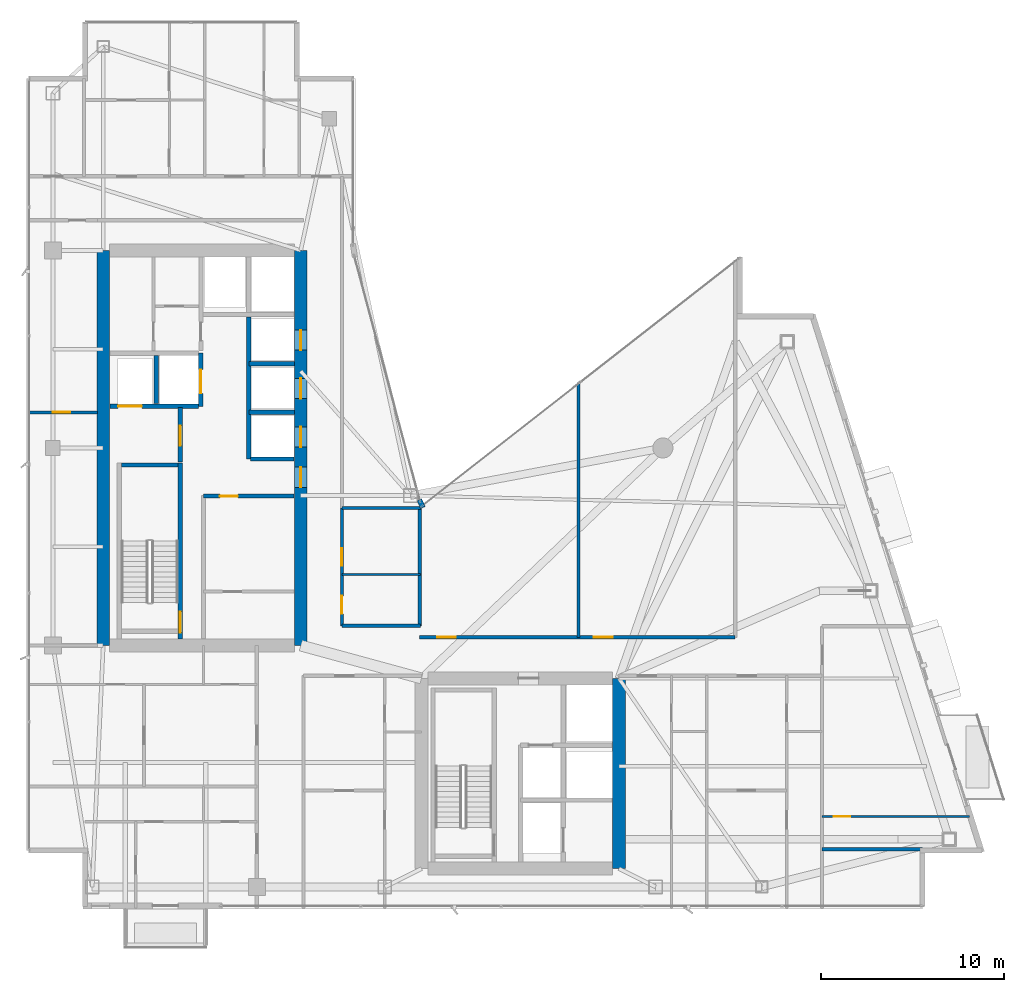
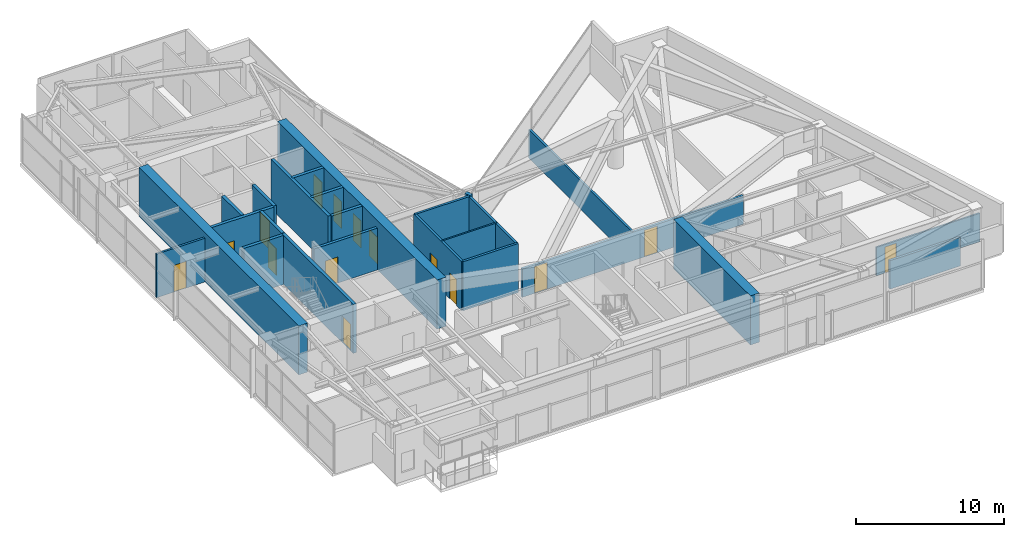
# One storey, part 24 of 29: 25 walls, 15 doors, 15 openings.
"""IFC4 building model written with IfcOpenShell, lengths in metres."""

from ifc_helpers import new_model, si_unit, direction, frame, frame_2d, origin, place, context, subcontext, project, spatial, rectangle, extrude, material, layer, layer_set, type_object, element, fill, save


model = new_model("IFC4")

# Units and contexts
model_context = context("Model", 3, precision=1e-05, world=origin(), true_north=direction((0.0, 1.0)))
body_context = subcontext(model_context, "Body", "Model", "MODEL_VIEW")
ifc_project = project(units=[si_unit("LENGTHUNIT", "METRE"), si_unit("AREAUNIT", "SQUARE_METRE"), si_unit("VOLUMEUNIT", "CUBIC_METRE"), si_unit("PLANEANGLEUNIT", "RADIAN"), si_unit("MASSUNIT", "GRAM", prefix="KILO")], contexts=[model_context])

# Site, building, storey
site_placement = place(None, origin())
site = spatial("IfcSite", under=ifc_project, at=site_placement, CompositionType="ELEMENT")
building_placement = place(site_placement, origin())
building = spatial("IfcBuilding", under=site, at=building_placement, Name="Calvorn Quay Hotel", CompositionType="ELEMENT")
storey_placement = place(building_placement, frame((0.0, 0.0, 214.800048828125)))
storey = spatial("IfcBuildingStorey", under=building, at=storey_placement, Name="L53", CompositionType="ELEMENT", Elevation=214.800048828125)

# Wall
ifc_material_1 = material(Name="Concrete C45", Category="concrete")
ifc_layer_1 = layer(ifc_material_1, 0.699951171875)
ifc_layer_set_1 = layer_set([ifc_layer_1], Name="WL-CORE-700")
wall_type_1 = type_object("IfcWallType", Name="WL-CORE-700", PredefinedType="SHEAR", material=ifc_layer_set_1)
wall_1_placement = place(storey_placement, frame((4.199951171875, 16.800048828125, 0.0), z_axis=(0.0, 0.0, 1.0), x_axis=(0.0, 1.0, 0.0)))
element("IfcWall", 1, at=wall_1_placement, inside=storey, type_object=wall_type_1, Name="West Core Shear Wall W (L53)", PredefinedType="SHEAR", context=body_context, shape_type="SweptSolid", body=[
    extrude(rectangle(XDim=21.599853515625, YDim=0.699951171875, at=frame_2d((10.7998046875, 0.0))), origin(), (0.0, 0.0, 1.0), 4.050048828125),
])

# Wall, openings, doors
wall_2_placement = place(storey_placement, frame((15.0, 16.800048828125, 0.0), z_axis=(0.0, 0.0, 1.0), x_axis=(0.0, 1.0, 0.0)))
wall_2 = element("IfcWall", 2, at=wall_2_placement, inside=storey, type_object=wall_type_1, Name="West Core Shear Wall E (L53)", PredefinedType="SHEAR", context=body_context, shape_type="SweptSolid", body=[
    extrude(rectangle(XDim=21.599853515625, YDim=0.699951171875, at=frame_2d((10.7998046875, 0.0))), origin(), (0.0, 0.0, 1.0), 4.050048828125),
])
opening_1_placement = place(wall_2_placement, frame((8.64990234375, 0.0, 0.0)))
opening_1 = element("IfcOpeningElement", 3, at=opening_1_placement, cuts=wall_2, Name="Opening D-L53-CW1", PredefinedType="OPENING", context=body_context, shape_type="SweptSolid", body=[
    extrude(rectangle(XDim=1.10009765625, YDim=2.199951171875, at=frame_2d((0.550048828125, 1.10009765625))), frame((0.0, 0.35986328125, 0.0), z_axis=(0.0, -1.0, 0.0), x_axis=(1.0, 0.0, 0.0)), (0.0, 0.0, 1.0), 0.719970703125),
])
opening_2_placement = place(wall_2_placement, frame((10.85009765625, 0.0, 0.0)))
opening_2 = element("IfcOpeningElement", 4, at=opening_2_placement, cuts=wall_2, Name="Opening LD-L53-M1", PredefinedType="OPENING", context=body_context, shape_type="SweptSolid", body=[
    extrude(rectangle(XDim=1.10009765625, YDim=2.199951171875, at=frame_2d((0.550048828125, 1.10009765625))), frame((0.0, 0.35986328125, 0.0), z_axis=(0.0, -1.0, 0.0), x_axis=(1.0, 0.0, 0.0)), (0.0, 0.0, 1.0), 0.719970703125),
])
opening_3_placement = place(wall_2_placement, frame((13.5, 0.0, 0.0)))
opening_3 = element("IfcOpeningElement", 5, at=opening_3_placement, cuts=wall_2, Name="Opening LD-L53-M2", PredefinedType="OPENING", context=body_context, shape_type="SweptSolid", body=[
    extrude(rectangle(XDim=1.10009765625, YDim=2.199951171875, at=frame_2d((0.550048828125, 1.10009765625))), frame((0.0, 0.35986328125, 0.0), z_axis=(0.0, -1.0, 0.0), x_axis=(1.0, 0.0, 0.0)), (0.0, 0.0, 1.0), 0.719970703125),
])
opening_4_placement = place(wall_2_placement, frame((16.14990234375, 0.0, 0.0)))
opening_4 = element("IfcOpeningElement", 6, at=opening_4_placement, cuts=wall_2, Name="Opening LD-L53-M3", PredefinedType="OPENING", context=body_context, shape_type="SweptSolid", body=[
    extrude(rectangle(XDim=1.10009765625, YDim=2.199951171875, at=frame_2d((0.550048828125, 1.10009765625))), frame((0.0, 0.35986328125, 0.0), z_axis=(0.0, -1.0, 0.0), x_axis=(1.0, 0.0, 0.0)), (0.0, 0.0, 1.0), 0.719970703125),
])
ifc_material_2 = material(Name="Smoke-Sealed Steel Class A Fire Door", Category="steel")
door_type_1 = type_object("IfcDoorType", Name="DR-FFLOBBY-1100", OperationType="NOTDEFINED", PredefinedType="DOOR", material=ifc_material_2)
door_1_placement = place(opening_1_placement, origin())
door_1 = element("IfcDoor", 7, at=door_1_placement, inside=storey, type_object=door_type_1, Name="West Core Vestibule Fire Door (L53)", OperationType="SINGLE_SWING_RIGHT", OverallHeight=2.199951171875, OverallWidth=1.10009765625, PredefinedType="DOOR", context=body_context, shape_type="SweptSolid", body=[
    extrude(rectangle(XDim=1.10009765625, YDim=2.199951171875, at=frame_2d((0.550048828125, 1.10009765625))), frame((0.0, 0.02490234375, 0.0), z_axis=(0.0, -1.0, 0.0), x_axis=(1.0, 0.0, 0.0)), (0.0, 0.0, 1.0), 0.050048828125),
])
fill(opening_1, door_1)
ifc_material_3 = material(Name="Brushed Stainless Steel Sliding Lift Landing Door", Category="steel")
door_type_2 = type_object("IfcDoorType", Name="DR-LIFT-PASS-1100", OperationType="NOTDEFINED", PredefinedType="DOOR", material=ifc_material_3)
door_2_placement = place(opening_2_placement, origin())
door_2 = element("IfcDoor", 8, at=door_2_placement, inside=storey, type_object=door_type_2, Name="Mid-Rise Lift PL-M1 Landing Door (L53)", OperationType="DOUBLE_DOOR_SLIDING", OverallHeight=2.199951171875, OverallWidth=1.10009765625, PredefinedType="DOOR", context=body_context, shape_type="SweptSolid", body=[
    extrude(rectangle(XDim=1.10009765625, YDim=2.199951171875, at=frame_2d((0.550048828125, 1.10009765625))), frame((0.0, 0.02490234375, 0.0), z_axis=(0.0, -1.0, 0.0), x_axis=(1.0, 0.0, 0.0)), (0.0, 0.0, 1.0), 0.050048828125),
])
fill(opening_2, door_2)
door_3_placement = place(opening_3_placement, origin())
door_3 = element("IfcDoor", 9, at=door_3_placement, inside=storey, type_object=door_type_2, Name="Mid-Rise Lift PL-M2 Landing Door (L53)", OperationType="DOUBLE_DOOR_SLIDING", OverallHeight=2.199951171875, OverallWidth=1.10009765625, PredefinedType="DOOR", context=body_context, shape_type="SweptSolid", body=[
    extrude(rectangle(XDim=1.10009765625, YDim=2.199951171875, at=frame_2d((0.550048828125, 1.10009765625))), frame((0.0, 0.02490234375, 0.0), z_axis=(0.0, -1.0, 0.0), x_axis=(1.0, 0.0, 0.0)), (0.0, 0.0, 1.0), 0.050048828125),
])
fill(opening_3, door_3)
door_4_placement = place(opening_4_placement, origin())
door_4 = element("IfcDoor", 10, at=door_4_placement, inside=storey, type_object=door_type_2, Name="Mid-Rise Lift PL-M3 Landing Door (L53)", OperationType="DOUBLE_DOOR_SLIDING", OverallHeight=2.199951171875, OverallWidth=1.10009765625, PredefinedType="DOOR", context=body_context, shape_type="SweptSolid", body=[
    extrude(rectangle(XDim=1.10009765625, YDim=2.199951171875, at=frame_2d((0.550048828125, 1.10009765625))), frame((0.0, 0.02490234375, 0.0), z_axis=(0.0, -1.0, 0.0), x_axis=(1.0, 0.0, 0.0)), (0.0, 0.0, 1.0), 0.050048828125),
])
fill(opening_4, door_4)

# Walls
wall_3_placement = place(storey_placement, frame((32.39990234375, 4.60009765625, 0.0), z_axis=(0.0, 0.0, 1.0), x_axis=(0.0, 1.0, 0.0)))
element("IfcWall", 11, at=wall_3_placement, inside=storey, type_object=wall_type_1, Name="East Core Shear Wall E (L53)", PredefinedType="SHEAR", context=body_context, shape_type="SweptSolid", body=[
    extrude(rectangle(XDim=10.39990234375, YDim=0.699951171875, at=frame_2d((5.199951171875, 0.0))), origin(), (0.0, 0.0, 1.0), 4.050048828125),
])
ifc_material_4 = material(Name="Acoustic Fireboard Steel-Stud Partition", Category="steel")
ifc_layer_2 = layer(ifc_material_4, 0.179931640625)
ifc_layer_set_2 = layer_set([ifc_layer_2], Name="WL-CORR-FIRE-180")
wall_type_2 = type_object("IfcWallType", Name="WL-CORR-FIRE-180", PredefinedType="PARTITIONING", material=ifc_layer_set_2)
wall_4_placement = place(storey_placement, frame((17.25, 17.8798828125, 0.0), z_axis=(0.0, 0.0, 1.0), x_axis=(1.0, 0.0, 0.0)))
element("IfcWall", 12, at=wall_4_placement, inside=storey, type_object=wall_type_2, Name="Partition Wall L53-WL-HK-S", PredefinedType="PARTITIONING", context=body_context, shape_type="SweptSolid", body=[
    extrude(rectangle(XDim=4.300048828125, YDim=0.179931640625, at=frame_2d((2.14990234375, 0.0))), origin(), (0.0, 0.0, 1.0), 4.050048828125),
])
wall_5_placement = place(storey_placement, frame((17.25, 24.320068359375, 0.0), z_axis=(0.0, 0.0, 1.0), x_axis=(1.0, 0.0, 0.0)))
element("IfcWall", 13, at=wall_5_placement, inside=storey, type_object=wall_type_2, Name="Partition Wall L53-WL-HK-N", PredefinedType="PARTITIONING", context=body_context, shape_type="SweptSolid", body=[
    extrude(rectangle(XDim=4.35009765625, YDim=0.179931640625, at=frame_2d((2.175048828125, 0.0))), origin(), (0.0, 0.0, 1.0), 4.050048828125),
])
wall_6_placement = place(storey_placement, frame((21.5, 17.8798828125, 0.0), z_axis=(0.0, 0.0, 1.0), x_axis=(0.0, 1.0, 0.0)))
element("IfcWall", 14, at=wall_6_placement, inside=storey, type_object=wall_type_2, Name="Partition Wall L53-WL-HK-E", PredefinedType="PARTITIONING", context=body_context, shape_type="SweptSolid", body=[
    extrude(rectangle(XDim=6.440185546875, YDim=0.179931640625, at=frame_2d((3.22021484375, 0.0))), origin(), (0.0, 0.0, 1.0), 4.050048828125),
])

# Wall, openings, doors
wall_7_placement = place(storey_placement, frame((17.25, 17.8798828125, 0.0), z_axis=(0.0, 0.0, 1.0), x_axis=(0.0, 1.0, 0.0)))
wall_7 = element("IfcWall", 15, at=wall_7_placement, inside=storey, type_object=wall_type_2, Name="Partition Wall L53-WL-HK-W", PredefinedType="PARTITIONING", context=body_context, shape_type="SweptSolid", body=[
    extrude(rectangle(XDim=6.440185546875, YDim=0.179931640625, at=frame_2d((3.22021484375, 0.0))), origin(), (0.0, 0.0, 1.0), 4.050048828125),
])
opening_5_placement = place(wall_7_placement, frame((0.64990234375, 0.0, 0.0)))
opening_5 = element("IfcOpeningElement", 16, at=opening_5_placement, cuts=wall_7, Name="Opening D-L53-HK", PredefinedType="OPENING", context=body_context, shape_type="SweptSolid", body=[
    extrude(rectangle(XDim=0.97998046875, YDim=2.14990234375, at=frame_2d((0.489990234375, 1.074951171875))), frame((0.0, 0.099853515625, 0.0), z_axis=(0.0, -1.0, 0.0), x_axis=(1.0, 0.0, 0.0)), (0.0, 0.0, 1.0), 0.199951171875),
])
opening_6_placement = place(wall_7_placement, frame((3.27001953125, 0.0, 0.0)))
opening_6 = element("IfcOpeningElement", 17, at=opening_6_placement, cuts=wall_7, Name="Opening D-L53-NCP", PredefinedType="OPENING", context=body_context, shape_type="SweptSolid", body=[
    extrude(rectangle(XDim=0.9599609375, YDim=2.199951171875, at=frame_2d((0.47998046875, 1.10009765625))), frame((0.0, 0.099853515625, 0.0), z_axis=(0.0, -1.0, 0.0), x_axis=(1.0, 0.0, 0.0)), (0.0, 0.0, 1.0), 0.199951171875),
])
ifc_material_5 = material(Name="Painted Steel Housekeeping/Riser Fire Door", Category="steel")
door_type_3 = type_object("IfcDoorType", Name="DR-SERVICE-980", OperationType="NOTDEFINED", PredefinedType="DOOR", material=ifc_material_5)
door_5_placement = place(opening_5_placement, origin())
door_5 = element("IfcDoor", 18, at=door_5_placement, inside=storey, type_object=door_type_3, Name="Floor Housekeeping Door (L53)", OperationType="SINGLE_SWING_LEFT", OverallHeight=2.14990234375, OverallWidth=0.97998046875, PredefinedType="DOOR", context=body_context, shape_type="SweptSolid", body=[
    extrude(rectangle(XDim=0.97998046875, YDim=2.14990234375, at=frame_2d((0.489990234375, 1.074951171875))), frame((0.0, 0.02490234375, 0.0), z_axis=(0.0, -1.0, 0.0), x_axis=(1.0, 0.0, 0.0)), (0.0, 0.0, 1.0), 0.050048828125),
])
fill(opening_5, door_5)
ifc_material_6 = material(Name="Solid Timber Internal Suite Door", Category="wood")
door_type_4 = type_object("IfcDoorType", Name="DR-SUITE-INT-960", OperationType="NOTDEFINED", PredefinedType="DOOR", material=ifc_material_6)
door_6_placement = place(opening_6_placement, origin())
door_6 = element("IfcDoor", 19, at=door_6_placement, inside=storey, type_object=door_type_4, Name="Reading Alcove Door (L53)", OperationType="SINGLE_SWING_RIGHT", OverallHeight=2.199951171875, OverallWidth=0.9599609375, PredefinedType="DOOR", context=body_context, shape_type="SweptSolid", body=[
    extrude(rectangle(XDim=0.9599609375, YDim=2.199951171875, at=frame_2d((0.47998046875, 1.10009765625))), frame((0.0, 0.02490234375, 0.0), z_axis=(0.0, -1.0, 0.0), x_axis=(1.0, 0.0, 0.0)), (0.0, 0.0, 1.0), 0.050048828125),
])
fill(opening_6, door_6)

wall_8_placement = place(storey_placement, frame((21.5, 17.25, 0.0), z_axis=(0.0, 0.0, 1.0), x_axis=(1.0, 0.0, 0.0)))
wall_8 = element("IfcWall", 20, at=wall_8_placement, inside=storey, type_object=wall_type_2, Name="Partition Wall L53-WL-CORR-NE-N", PredefinedType="PARTITIONING", context=body_context, shape_type="SweptSolid", body=[
    extrude(rectangle(XDim=17.25, YDim=0.179931640625, at=frame_2d((8.625, 0.0))), origin(), (0.0, 0.0, 1.0), 2.349853515625),
])
opening_7_placement = place(wall_8_placement, frame((0.949951171875, 0.0, 0.0)))
opening_7 = element("IfcOpeningElement", 21, at=opening_7_placement, cuts=wall_8, Name="Opening D-L53-NS1", PredefinedType="OPENING", context=body_context, shape_type="SweptSolid", body=[
    extrude(rectangle(XDim=1.02001953125, YDim=2.199951171875, at=frame_2d((0.510009765625, 1.10009765625))), frame((0.0, 0.099853515625, 0.0), z_axis=(0.0, -1.0, 0.0), x_axis=(1.0, 0.0, 0.0)), (0.0, 0.0, 1.0), 0.199951171875),
])
opening_8_placement = place(wall_8_placement, frame((9.530029296875, 0.0, 0.0)))
opening_8 = element("IfcOpeningElement", 22, at=opening_8_placement, cuts=wall_8, Name="Opening D-L53-NS2", PredefinedType="OPENING", context=body_context, shape_type="SweptSolid", body=[
    extrude(rectangle(XDim=1.02001953125, YDim=2.199951171875, at=frame_2d((0.510009765625, 1.10009765625))), frame((0.0, 0.099853515625, 0.0), z_axis=(0.0, -1.0, 0.0), x_axis=(1.0, 0.0, 0.0)), (0.0, 0.0, 1.0), 0.199951171875),
])
ifc_material_7 = material(Name="Solid-Core Walnut Veneer Hotel Fire Door")
door_type_5 = type_object("IfcDoorType", Name="DR-GUEST-ENTRY-1020", OperationType="NOTDEFINED", PredefinedType="DOOR", material=ifc_material_7)
door_7_placement = place(opening_7_placement, origin())
door_7 = element("IfcDoor", 23, at=door_7_placement, inside=storey, type_object=door_type_5, Name="Conservatory Salon Door 1 (L53)", OperationType="SINGLE_SWING_RIGHT", OverallHeight=2.199951171875, OverallWidth=1.02001953125, PredefinedType="DOOR", context=body_context, shape_type="SweptSolid", body=[
    extrude(rectangle(XDim=1.02001953125, YDim=2.199951171875, at=frame_2d((0.510009765625, 1.10009765625))), frame((0.0, 0.02490234375, 0.0), z_axis=(0.0, -1.0, 0.0), x_axis=(1.0, 0.0, 0.0)), (0.0, 0.0, 1.0), 0.050048828125),
])
fill(opening_7, door_7)
door_8_placement = place(opening_8_placement, origin())
door_8 = element("IfcDoor", 24, at=door_8_placement, inside=storey, type_object=door_type_5, Name="Conservatory Salon Door 2 (L53)", OperationType="SINGLE_SWING_LEFT", OverallHeight=2.199951171875, OverallWidth=1.02001953125, PredefinedType="DOOR", context=body_context, shape_type="SweptSolid", body=[
    extrude(rectangle(XDim=1.02001953125, YDim=2.199951171875, at=frame_2d((0.510009765625, 1.10009765625))), frame((0.0, 0.02490234375, 0.0), z_axis=(0.0, -1.0, 0.0), x_axis=(1.0, 0.0, 0.0)), (0.0, 0.0, 1.0), 0.050048828125),
])
fill(opening_8, door_8)

# Walls
wall_9_placement = place(storey_placement, frame((43.5, 5.659912109375, 0.0), z_axis=(0.0, 0.0, 1.0), x_axis=(1.0, 0.0, 0.0)))
element("IfcWall", 25, at=wall_9_placement, inside=storey, type_object=wall_type_2, Name="Partition Wall L53-WL-TIP-S", PredefinedType="PARTITIONING", context=body_context, shape_type="SweptSolid", body=[
    extrude(rectangle(XDim=5.5, YDim=0.179931640625, at=frame_2d((2.75, 0.0))), origin(), (0.0, 0.0, 1.0), 2.349853515625),
])
ifc_material_8 = material(Name="Moisture-Resistant Tile-Backed Partition")
ifc_layer_3 = layer(ifc_material_8, 0.125)
ifc_layer_set_3 = layer_set([ifc_layer_3], Name="WL-ENSUITE-125")
wall_type_3 = type_object("IfcWallType", Name="WL-ENSUITE-125", PredefinedType="PARTITIONING", material=ifc_layer_set_3)
wall_10_placement = place(storey_placement, frame((17.25, 20.679931640625, 0.0), z_axis=(0.0, 0.0, 1.0), x_axis=(1.0, 0.0, 0.0)))
element("IfcWall", 26, at=wall_10_placement, inside=storey, type_object=wall_type_3, Name="Partition Wall L53-WL-HK-M", PredefinedType="PARTITIONING", context=body_context, shape_type="SweptSolid", body=[
    extrude(rectangle(XDim=4.300048828125, YDim=0.125, at=frame_2d((2.14990234375, 0.0))), origin(), (0.0, 0.0, 1.0), 4.050048828125),
])

# Wall, opening, door
wall_11_placement = place(storey_placement, frame((43.5, 7.449951171875, 0.0), z_axis=(0.0, 0.0, 1.0), x_axis=(1.0, 0.0, 0.0)))
wall_11 = element("IfcWall", 27, at=wall_11_placement, inside=storey, type_object=wall_type_3, Name="Partition Wall L53-WL-U08-BH", PredefinedType="PARTITIONING", context=body_context, shape_type="SweptSolid", body=[
    extrude(rectangle(XDim=8.06005859375, YDim=0.125, at=frame_2d((4.030029296875, 0.0))), origin(), (0.0, 0.0, 1.0), 2.349853515625),
])
opening_9_placement = place(wall_11_placement, frame((0.64990234375, 0.0, 0.0)))
opening_9 = element("IfcOpeningElement", 28, at=opening_9_placement, cuts=wall_11, Name="Opening D-L53-E08", PredefinedType="OPENING", context=body_context, shape_type="SweptSolid", body=[
    extrude(rectangle(XDim=0.89990234375, YDim=2.14990234375, at=frame_2d((0.449951171875, 1.074951171875))), frame((0.0, 0.072509765625, 0.0), z_axis=(0.0, -1.0, 0.0), x_axis=(1.0, 0.0, 0.0)), (0.0, 0.0, 1.0), 0.14501953125),
])
ifc_material_9 = material(Name="Moisture-Sealed Timber En-Suite Door", Category="wood")
door_type_6 = type_object("IfcDoorType", Name="DR-ENSUITE-900", OperationType="NOTDEFINED", PredefinedType="DOOR", material=ifc_material_9)
door_9_placement = place(opening_9_placement, origin())
door_9 = element("IfcDoor", 29, at=door_9_placement, inside=storey, type_object=door_type_6, Name="En-Suite Door 08", OperationType="SINGLE_SWING_LEFT", OverallHeight=2.14990234375, OverallWidth=0.89990234375, PredefinedType="DOOR", context=body_context, shape_type="SweptSolid", body=[
    extrude(rectangle(XDim=0.89990234375, YDim=2.14990234375, at=frame_2d((0.449951171875, 1.074951171875))), frame((0.0, 0.02490234375, 0.0), z_axis=(0.0, -1.0, 0.0), x_axis=(1.0, 0.0, 0.0)), (0.0, 0.0, 1.0), 0.050048828125),
])
fill(opening_9, door_9)

# Wall
ifc_material_10 = material(Name="Concrete C40", Category="concrete")
ifc_layer_4 = layer(ifc_material_10, 0.320068359375)
ifc_layer_set_4 = layer_set([ifc_layer_4], Name="WL-EXT-SPANDREL-320")
wall_type_4 = type_object("IfcWallType", Name="WL-EXT-SPANDREL-320", PredefinedType="SOLIDWALL", material=ifc_layer_set_4)
wall_12_placement = place(storey_placement, frame((21.679931640625, 24.340087890625, 0.0), z_axis=(0.0, 0.0, 1.0), x_axis=(-0.40758134973, 0.913168901875, 0.0)))
element("IfcWall", 30, at=wall_12_placement, inside=storey, type_object=wall_type_4, Name="Inner Court Corner Pier L53-ICJ1", PredefinedType="SOLIDWALL", context=body_context, shape_type="SweptSolid", body=[
    extrude(rectangle(XDim=0.470703125, YDim=0.280029296875, at=frame_2d((0.2353515625, 0.0))), origin(), (0.0, 0.0, 1.0), 4.050048828125),
])

# Wall, opening, door
ifc_material_11 = material(Name="Double-Stud Acoustic Gypsum Partition")
ifc_layer_5 = layer(ifc_material_11, 0.159912109375)
ifc_layer_set_5 = layer_set([ifc_layer_5], Name="WL-INTERSUITE-160")
wall_type_5 = type_object("IfcWallType", Name="WL-INTERSUITE-160", PredefinedType="PARTITIONING", material=ifc_layer_set_5)
wall_13_placement = place(storey_placement, frame((0.080078125, 29.550048828125, 0.0), z_axis=(0.0, 0.0, 1.0), x_axis=(1.0, 0.0, 0.0)))
wall_13 = element("IfcWall", 31, at=wall_13_placement, inside=storey, type_object=wall_type_5, Name="Partition Wall L53-WL-WBAY-DIV", PredefinedType="PARTITIONING", context=body_context, shape_type="SweptSolid", body=[
    extrude(rectangle(XDim=3.7998046875, YDim=0.159912109375, at=frame_2d((1.89990234375, 0.0))), origin(), (0.0, 0.0, 1.0), 3.599853515625),
])
opening_10_placement = place(wall_13_placement, frame((1.35009765625, 0.0, 0.0)))
opening_10 = element("IfcOpeningElement", 32, at=opening_10_placement, cuts=wall_13, Name="Opening D-L53-WBD", PredefinedType="OPENING", context=body_context, shape_type="SweptSolid", body=[
    extrude(rectangle(XDim=0.9599609375, YDim=2.199951171875, at=frame_2d((0.47998046875, 1.10009765625))), frame((0.0, 0.08984375, 0.0), z_axis=(0.0, -1.0, 0.0), x_axis=(1.0, 0.0, 0.0)), (0.0, 0.0, 1.0), 0.179931640625),
])
door_10_placement = place(opening_10_placement, origin())
door_10 = element("IfcDoor", 33, at=door_10_placement, inside=storey, type_object=door_type_4, Name="West Bay Connecting Door (L53)", OperationType="SINGLE_SWING_LEFT", OverallHeight=2.199951171875, OverallWidth=0.9599609375, PredefinedType="DOOR", context=body_context, shape_type="SweptSolid", body=[
    extrude(rectangle(XDim=0.9599609375, YDim=2.199951171875, at=frame_2d((0.47998046875, 1.10009765625))), frame((0.0, 0.02490234375, 0.0), z_axis=(0.0, -1.0, 0.0), x_axis=(1.0, 0.0, 0.0)), (0.0, 0.0, 1.0), 0.050048828125),
])
fill(opening_10, door_10)

# Wall
wall_14_placement = place(storey_placement, frame((30.179931640625, 17.25, 0.0), z_axis=(0.0, 0.0, 1.0), x_axis=(0.0, 1.0, 0.0)))
element("IfcWall", 34, at=wall_14_placement, inside=storey, type_object=wall_type_5, Name="Partition Wall L53-WL-NE-DIV-1", PredefinedType="PARTITIONING", context=body_context, shape_type="SweptSolid", body=[
    extrude(rectangle(XDim=13.93994140625, YDim=0.159912109375, at=frame_2d((6.969970703125, 0.0))), origin(), (0.0, 0.0, 1.0), 2.349853515625),
])

# Wall, opening, door
ifc_material_12 = material(Name="Autoclaved Aerated Masonry Block", Category="masonry")
ifc_layer_6 = layer(ifc_material_12, 0.219970703125)
ifc_layer_set_6 = layer_set([ifc_layer_6], Name="WL-LOBBY-FIRE-220")
wall_type_6 = type_object("IfcWallType", Name="WL-LOBBY-FIRE-220", PredefinedType="SOLIDWALL", material=ifc_layer_set_6)
wall_15_placement = place(storey_placement, frame((9.679931640625, 24.969970703125, 0.0), z_axis=(0.0, 0.0, 1.0), x_axis=(1.0, 0.0, 0.0)))
wall_15 = element("IfcWall", 35, at=wall_15_placement, inside=storey, type_object=wall_type_6, Name="Partition Wall L53-WL-CWW-FR-N", PredefinedType="SOLIDWALL", context=body_context, shape_type="SweptSolid", body=[
    extrude(rectangle(XDim=4.949951171875, YDim=0.219970703125, at=frame_2d((2.47509765625, 0.0))), origin(), (0.0, 0.0, 1.0), 3.449951171875),
])
opening_11_placement = place(wall_15_placement, frame((0.89990234375, 0.0, 0.0)))
opening_11 = element("IfcOpeningElement", 36, at=opening_11_placement, cuts=wall_15, Name="Opening D-L53-FRL2", PredefinedType="OPENING", context=body_context, shape_type="SweptSolid", body=[
    extrude(rectangle(XDim=0.97998046875, YDim=2.14990234375, at=frame_2d((0.489990234375, 1.074951171875))), frame((0.0, 0.119873046875, 0.0), z_axis=(0.0, -1.0, 0.0), x_axis=(1.0, 0.0, 0.0)), (0.0, 0.0, 1.0), 0.239990234375),
])
door_11_placement = place(opening_11_placement, origin())
door_11 = element("IfcDoor", 37, at=door_11_placement, inside=storey, type_object=door_type_3, Name="Beverage Pantry Door (L53)", OperationType="SINGLE_SWING_RIGHT", OverallHeight=2.14990234375, OverallWidth=0.97998046875, PredefinedType="DOOR", context=body_context, shape_type="SweptSolid", body=[
    extrude(rectangle(XDim=0.97998046875, YDim=2.14990234375, at=frame_2d((0.489990234375, 1.074951171875))), frame((0.0, 0.02490234375, 0.0), z_axis=(0.0, -1.0, 0.0), x_axis=(1.0, 0.0, 0.0)), (0.0, 0.0, 1.0), 0.050048828125),
])
fill(opening_11, door_11)

ifc_material_13 = material(Name="Concrete C40", Category="concrete")
ifc_layer_7 = layer(ifc_material_13, 0.239990234375)
ifc_layer_set_7 = layer_set([ifc_layer_7], Name="WL-SHAFT-240")
wall_type_7 = type_object("IfcWallType", Name="WL-SHAFT-240", PredefinedType="SOLIDWALL", material=ifc_layer_set_7)
wall_16_placement = place(storey_placement, frame((8.419921875, 17.14990234375, 0.0), z_axis=(0.0, 0.0, 1.0), x_axis=(0.0, 1.0, 0.0)))
wall_16 = element("IfcWall", 38, at=wall_16_placement, inside=storey, type_object=wall_type_7, Name="Stair STW Shaft Wall E (L53)", PredefinedType="SOLIDWALL", context=body_context, shape_type="SweptSolid", body=[
    extrude(rectangle(XDim=9.64013671875, YDim=0.239990234375, at=frame_2d((4.820068359375, 0.0))), origin(), (0.0, 0.0, 1.0), 4.050048828125),
])
opening_12_placement = place(wall_16_placement, frame((0.35009765625, 0.0, 0.0)))
opening_12 = element("IfcOpeningElement", 39, at=opening_12_placement, cuts=wall_16, Name="Opening D-L53-STW", PredefinedType="OPENING", context=body_context, shape_type="SweptSolid", body=[
    extrude(rectangle(XDim=1.14990234375, YDim=2.199951171875, at=frame_2d((0.574951171875, 1.10009765625))), frame((0.0, 0.1298828125, 0.0), z_axis=(0.0, -1.0, 0.0), x_axis=(1.0, 0.0, 0.0)), (0.0, 0.0, 1.0), 0.260009765625),
])
ifc_material_14 = material(Name="Galvanised Steel Class A Fire Door", Category="steel")
door_type_7 = type_object("IfcDoorType", Name="DR-STAIR-SMOKE-1150", OperationType="NOTDEFINED", PredefinedType="DOOR", material=ifc_material_14)
door_12_placement = place(opening_12_placement, origin())
door_12 = element("IfcDoor", 40, at=door_12_placement, inside=storey, type_object=door_type_7, Name="Stair ST-W Fire Door (L53)", OperationType="SINGLE_SWING_LEFT", OverallHeight=2.199951171875, OverallWidth=1.14990234375, PredefinedType="DOOR", context=body_context, shape_type="SweptSolid", body=[
    extrude(rectangle(XDim=1.14990234375, YDim=2.199951171875, at=frame_2d((0.574951171875, 1.10009765625))), frame((0.0, 0.02490234375, 0.0), z_axis=(0.0, -1.0, 0.0), x_axis=(1.0, 0.0, 0.0)), (0.0, 0.0, 1.0), 0.050048828125),
])
fill(opening_12, door_12)

# Walls
wall_17_placement = place(storey_placement, frame((5.199951171875, 26.669921875, 0.0), z_axis=(0.0, 0.0, 1.0), x_axis=(1.0, 0.0, 0.0)))
element("IfcWall", 41, at=wall_17_placement, inside=storey, type_object=wall_type_7, Name="Stair STW Shaft Wall N (L53)", PredefinedType="SOLIDWALL", context=body_context, shape_type="SweptSolid", body=[
    extrude(rectangle(XDim=3.10009765625, YDim=0.239990234375, at=frame_2d((1.550048828125, 0.0))), origin(), (0.0, 0.0, 1.0), 4.050048828125),
])
for number, where, z_axis, x_axis, name in (
    (42, (12.179931640625, 29.550048828125, 0.0), (0.0, 0.0, 1.0), (1.0, 0.0, 0.0), "Lift Hoistway Divider Wall PLM12 (L53)"),
    (43, (12.179931640625, 32.199951171875, 0.0), (0.0, 0.0, 1.0), (1.0, 0.0, 0.0), "Lift Hoistway Divider Wall PLM23 (L53)"),
):
    element("IfcWall", number, at=place(storey_placement, frame(where, z_axis=z_axis, x_axis=x_axis)), inside=storey, type_object=wall_type_7, Name=name, PredefinedType="SOLIDWALL", context=body_context, shape_type="SweptSolid", body=[
        extrude(rectangle(XDim=2.469970703125, YDim=0.239990234375, at=frame_2d((1.23486328125, 0.0))), origin(), (0.0, 0.0, 1.0), 4.050048828125),
    ])

# Wall, opening, door
wall_18_placement = place(storey_placement, frame((8.419921875, 26.820068359375, 0.0), z_axis=(0.0, 0.0, 1.0), x_axis=(0.0, 1.0, 0.0)))
wall_18 = element("IfcWall", 44, at=wall_18_placement, inside=storey, type_object=wall_type_7, Name="Partition Wall L53-WL-CWW-FFL-E", PredefinedType="SOLIDWALL", context=body_context, shape_type="SweptSolid", body=[
    extrude(rectangle(XDim=3.0, YDim=0.239990234375, at=frame_2d((1.5, 0.0))), origin(), (0.0, 0.0, 1.0), 4.050048828125),
])
opening_13_placement = place(wall_18_placement, frame((0.89990234375, 0.0, 0.0)))
opening_13 = element("IfcOpeningElement", 45, at=opening_13_placement, cuts=wall_18, Name="Opening D-L53-FLW", PredefinedType="OPENING", context=body_context, shape_type="SweptSolid", body=[
    extrude(rectangle(XDim=1.10009765625, YDim=2.199951171875, at=frame_2d((0.550048828125, 1.10009765625))), frame((0.0, 0.1298828125, 0.0), z_axis=(0.0, -1.0, 0.0), x_axis=(1.0, 0.0, 0.0)), (0.0, 0.0, 1.0), 0.260009765625),
])
door_13_placement = place(opening_13_placement, origin())
door_13 = element("IfcDoor", 46, at=door_13_placement, inside=storey, type_object=door_type_1, Name="West Firefighting Lobby Fire Door (L53)", OperationType="SINGLE_SWING_RIGHT", OverallHeight=2.199951171875, OverallWidth=1.10009765625, PredefinedType="DOOR", context=body_context, shape_type="SweptSolid", body=[
    extrude(rectangle(XDim=1.10009765625, YDim=2.199951171875, at=frame_2d((0.550048828125, 1.10009765625))), frame((0.0, 0.02490234375, 0.0), z_axis=(0.0, -1.0, 0.0), x_axis=(1.0, 0.0, 0.0)), (0.0, 0.0, 1.0), 0.050048828125),
])
fill(opening_13, door_13)

wall_19_placement = place(storey_placement, frame((4.570068359375, 29.8798828125, 0.0), z_axis=(0.0, 0.0, 1.0), x_axis=(1.0, 0.0, 0.0)))
wall_19 = element("IfcWall", 47, at=wall_19_placement, inside=storey, type_object=wall_type_7, Name="Partition Wall L53-WL-CWW-FLW-S", PredefinedType="SOLIDWALL", context=body_context, shape_type="SweptSolid", body=[
    extrude(rectangle(XDim=4.849853515625, YDim=0.239990234375, at=frame_2d((2.4248046875, 0.0))), origin(), (0.0, 0.0, 1.0), 4.050048828125),
])
opening_14_placement = place(wall_19_placement, frame((0.449951171875, 0.0, 0.0)))
opening_14 = element("IfcOpeningElement", 48, at=opening_14_placement, cuts=wall_19, Name="Opening LD-L53-FLW1", PredefinedType="OPENING", context=body_context, shape_type="SweptSolid", body=[
    extrude(rectangle(XDim=1.300048828125, YDim=2.35009765625, at=frame_2d((0.64990234375, 1.175048828125))), frame((0.0, 0.1298828125, 0.0), z_axis=(0.0, -1.0, 0.0), x_axis=(1.0, 0.0, 0.0)), (0.0, 0.0, 1.0), 0.260009765625),
])
ifc_material_15 = material(Name="Champagne-Bronze Sliding Express Lift Landing Door")
door_type_8 = type_object("IfcDoorType", Name="DR-LIFT-SHUTTLE-1300", OperationType="NOTDEFINED", PredefinedType="DOOR", material=ifc_material_15)
door_14_placement = place(opening_14_placement, origin())
door_14 = element("IfcDoor", 49, at=door_14_placement, inside=storey, type_object=door_type_8, Name="Firefighting Lift FL-W1 Landing Door (L53)", OperationType="DOUBLE_DOOR_SLIDING", OverallHeight=2.35009765625, OverallWidth=1.300048828125, PredefinedType="DOOR", context=body_context, shape_type="SweptSolid", body=[
    extrude(rectangle(XDim=1.300048828125, YDim=2.35009765625, at=frame_2d((0.64990234375, 1.175048828125))), frame((0.0, 0.02490234375, 0.0), z_axis=(0.0, -1.0, 0.0), x_axis=(1.0, 0.0, 0.0)), (0.0, 0.0, 1.0), 0.050048828125),
])
fill(opening_14, door_14)

# Wall
wall_20_placement = place(storey_placement, frame((7.10009765625, 30.02001953125, 0.0), z_axis=(0.0, 0.0, 1.0), x_axis=(0.0, 1.0, 0.0)))
element("IfcWall", 50, at=wall_20_placement, inside=storey, type_object=wall_type_7, Name="Partition Wall L53-WL-CWW-FLW-DIV", PredefinedType="SOLIDWALL", context=body_context, shape_type="SweptSolid", body=[
    extrude(rectangle(XDim=2.6298828125, YDim=0.239990234375, at=frame_2d((1.31494140625, 0.0))), origin(), (0.0, 0.0, 1.0), 4.050048828125),
])

# Wall, opening, door
wall_21_placement = place(storey_placement, frame((9.5400390625, 29.8798828125, 0.0), z_axis=(0.0, 0.0, 1.0), x_axis=(0.0, 1.0, 0.0)))
wall_21 = element("IfcWall", 51, at=wall_21_placement, inside=storey, type_object=wall_type_7, Name="Partition Wall L53-WL-CWW-SLW-E", PredefinedType="SOLIDWALL", context=body_context, shape_type="SweptSolid", body=[
    extrude(rectangle(XDim=2.900146484375, YDim=0.239990234375, at=frame_2d((1.4501953125, 0.0))), origin(), (0.0, 0.0, 1.0), 4.050048828125),
])
opening_15_placement = place(wall_21_placement, frame((0.699951171875, 0.0, 0.0)))
opening_15 = element("IfcOpeningElement", 52, at=opening_15_placement, cuts=wall_21, Name="Opening LD-L53-SLW1", PredefinedType="OPENING", context=body_context, shape_type="SweptSolid", body=[
    extrude(rectangle(XDim=1.300048828125, YDim=2.35009765625, at=frame_2d((0.64990234375, 1.175048828125))), frame((0.0, 0.1298828125, 0.0), z_axis=(0.0, -1.0, 0.0), x_axis=(1.0, 0.0, 0.0)), (0.0, 0.0, 1.0), 0.260009765625),
])
door_15_placement = place(opening_15_placement, origin())
door_15 = element("IfcDoor", 53, at=door_15_placement, inside=storey, type_object=door_type_8, Name="Service Lift SL-W1 Landing Door (L53)", OperationType="DOUBLE_DOOR_SLIDING", OverallHeight=2.35009765625, OverallWidth=1.300048828125, PredefinedType="DOOR", context=body_context, shape_type="SweptSolid", body=[
    extrude(rectangle(XDim=1.300048828125, YDim=2.35009765625, at=frame_2d((0.64990234375, 1.175048828125))), frame((0.0, 0.02490234375, 0.0), z_axis=(0.0, -1.0, 0.0), x_axis=(1.0, 0.0, 0.0)), (0.0, 0.0, 1.0), 0.050048828125),
])
fill(opening_15, door_15)

# Walls
wall_22_placement = place(storey_placement, frame((12.25, 27.0, 0.0), z_axis=(0.0, 0.0, 1.0), x_axis=(1.0, 0.0, 0.0)))
element("IfcWall", 54, at=wall_22_placement, inside=storey, type_object=wall_type_7, Name="Partition Wall L53-WL-CWW-PLM-S", PredefinedType="SOLIDWALL", context=body_context, shape_type="SweptSolid", body=[
    extrude(rectangle(XDim=2.3798828125, YDim=0.239990234375, at=frame_2d((1.18994140625, 0.0))), origin(), (0.0, 0.0, 1.0), 4.050048828125),
])
wall_23_placement = place(storey_placement, frame((12.14990234375, 27.0, 0.0), z_axis=(0.0, 0.0, 1.0), x_axis=(0.0, 1.0, 0.0)))
element("IfcWall", 55, at=wall_23_placement, inside=storey, type_object=wall_type_7, Name="Partition Wall L53-WL-CWW-PLM-W", PredefinedType="SOLIDWALL", context=body_context, shape_type="SweptSolid", body=[
    extrude(rectangle(XDim=7.75, YDim=0.239990234375, at=frame_2d((3.875, 0.0))), origin(), (0.0, 0.0, 1.0), 4.050048828125),
])

save(model, "model.ifc")
